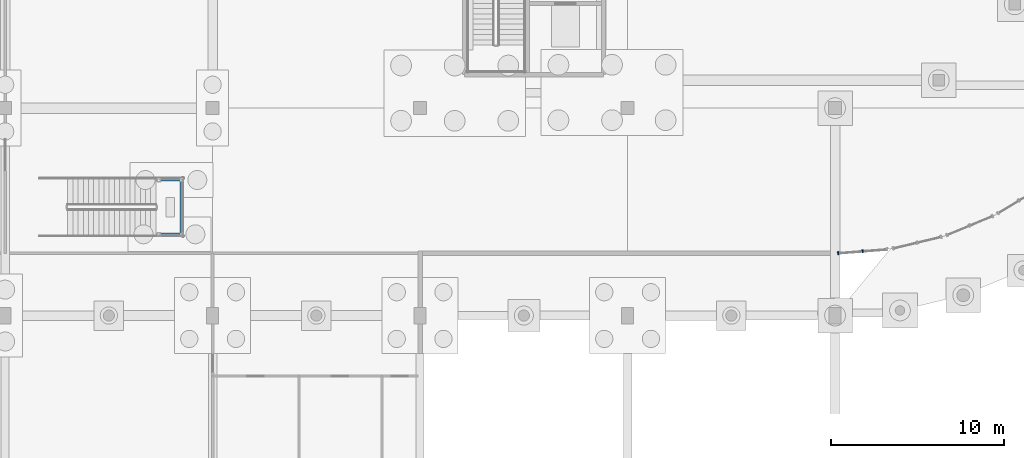
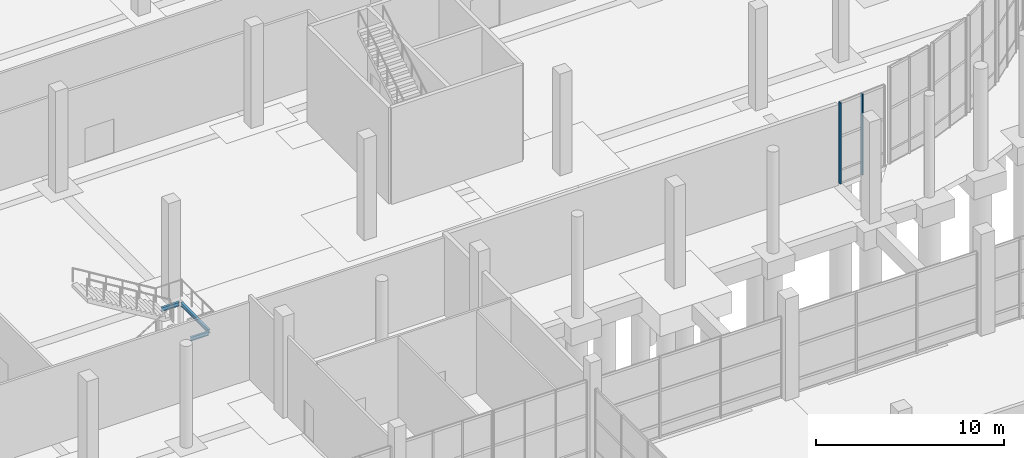
# One storey, part 55 of 117: 3 beams, 2 members, 1 element without a shape of its own.
"""IFC4 building model written with IfcOpenShell, lengths in metres."""

from ifc_helpers import new_model, si_unit, direction, frame, origin, origin_2d, place, context, subcontext, project, spatial, rectangle, i_section, extrude, material, material_profile, profile_set, type_object, element, aggregate, save


model = new_model("IFC4")

# Units and contexts
model_context = context("Model", 3, precision=1e-05, world=origin(), true_north=direction((0.0, 1.0)))
body_context = subcontext(model_context, "Body", "Model", "MODEL_VIEW")
ifc_project = project(units=[si_unit("LENGTHUNIT", "METRE"), si_unit("AREAUNIT", "SQUARE_METRE"), si_unit("VOLUMEUNIT", "CUBIC_METRE"), si_unit("PLANEANGLEUNIT", "RADIAN"), si_unit("MASSUNIT", "GRAM", prefix="KILO")], contexts=[model_context])

# Site, building, storey
site_placement = place(None, origin())
site = spatial("IfcSite", under=ifc_project, at=site_placement, CompositionType="ELEMENT")
building_placement = place(site_placement, origin())
building = spatial("IfcBuilding", under=site, at=building_placement, Name="Kamomehara Wholesale Market", CompositionType="ELEMENT")
storey_placement = place(building_placement, origin())
storey = spatial("IfcBuildingStorey", under=building, at=storey_placement, Name="L00", CompositionType="ELEMENT", Elevation=0.0)

# Beams
ifc_material_1 = material(Name="Steel SN400B", Category="steel")
ifc_material_profile_1 = material_profile(ifc_material_1, i_section(OverallWidth=0.125, OverallDepth=0.25, WebThickness=0.006103515625, FlangeThickness=0.009033203125, FilletRadius=0.008056640625, at=origin_2d()), Name="H-250x125x6x9")
ifc_profile_set_1 = profile_set([ifc_material_profile_1], Name="Steel SN400B")
beam_type = type_object("IfcBeamType", Name="BM-ST-H250", PredefinedType="JOIST", material=ifc_profile_set_1)
beam_placement = place(storey_placement, frame((142.18994140625, 112.800048828125, 2.97509765625), z_axis=(0.0, 1.0, 0.0), x_axis=(-1.0, 0.0, 0.0)))
element("IfcBeam", 1, at=beam_placement, inside=storey, type_object=beam_type, Name="Beam SJ-06 L00", PredefinedType="JOIST", context=body_context, shape_type="SweptSolid", body=[
    extrude(i_section(OverallWidth=0.125, OverallDepth=0.25, WebThickness=0.006103515625, FlangeThickness=0.009033203125, FilletRadius=0.008056640625, at=origin_2d()), origin(), (0.0, 0.0, 1.0), 2.93994140625),
])
for number, where, z_axis, x_axis, name in (
    (2, (140.989990234375, 112.699951171875, 2.97509765625), (1.0, 0.0, 0.0), (0.0, 1.0, 0.0), "Beam SJ-06 L00"),
    (3, (140.989990234375, 115.840087890625, 2.97509765625), (1.0, 0.0, 0.0), (0.0, 1.0, 0.0), "Beam SJ-06 L00"),
):
    element("IfcBeam", number, at=place(storey_placement, frame(where, z_axis=z_axis, x_axis=x_axis)), inside=storey, type_object=beam_type, Name=name, PredefinedType="JOIST", context=body_context, shape_type="SweptSolid", body=[
        extrude(i_section(OverallWidth=0.125, OverallDepth=0.25, WebThickness=0.006103515625, FlangeThickness=0.009033203125, FilletRadius=0.008056640625, at=origin_2d()), origin(), (0.0, 0.0, 1.0), 1.10009765625),
    ])

# Curtain wall, members
ifc_material_2 = material(Name="Anodised aluminium 6063-T5", Category="aluminium")
curtain_wall_type = type_object("IfcCurtainWallType", Name="CW-UN-07", PredefinedType="NOTDEFINED", material=ifc_material_2)
curtain_wall_placement = place(storey_placement, origin())
curtain_wall = element("IfcCurtainWall", 4, at=curtain_wall_placement, inside=storey, type_object=curtain_wall_type, Name="Unitised curtain wall CW-048", PredefinedType="NOTDEFINED")
ifc_material_3 = material(Name="Anodised aluminium 6063-T5", Category="aluminium")
ifc_material_profile_2 = material_profile(ifc_material_3, rectangle(XDim=0.074951171875, YDim=0.179931640625, at=origin_2d()), Name="ALU-MUL-75x180")
ifc_profile_set_2 = profile_set([ifc_material_profile_2], Name="Anodised aluminium 6063-T5")
member_type = type_object("IfcMemberType", Name="CW-MUL-180", PredefinedType="MULLION", material=ifc_profile_set_2)
member_1_placement = place(storey_placement, frame((181.595947265625, 111.72607421875, 0.0), z_axis=(0.0, 0.0, 1.0), x_axis=(-0.99691623814, -0.078473015312, 0.0)))
member_1 = element("IfcMember", 5, at=member_1_placement, type_object=member_type, Name="Mullion CW-048.1", PredefinedType="MULLION", context=body_context, shape_type="SweptSolid", body=[
    extrude(rectangle(XDim=0.074951171875, YDim=0.179931640625, at=origin_2d()), origin(), (0.0, 0.0, 1.0), 5.26806640625),
])
member_2_placement = place(storey_placement, frame((180.178955078125, 111.614013671875, 0.0), z_axis=(0.0, 0.0, 1.0), x_axis=(-0.99691623814, -0.078473015312, 0.0)))
member_2 = element("IfcMember", 6, at=member_2_placement, type_object=member_type, Name="Mullion CW-048.2", PredefinedType="MULLION", context=body_context, shape_type="SweptSolid", body=[
    extrude(rectangle(XDim=0.074951171875, YDim=0.179931640625, at=origin_2d()), origin(), (0.0, 0.0, 1.0), 5.26806640625),
])
aggregate(curtain_wall, [member_1, member_2])

save(model, "model.ifc")
